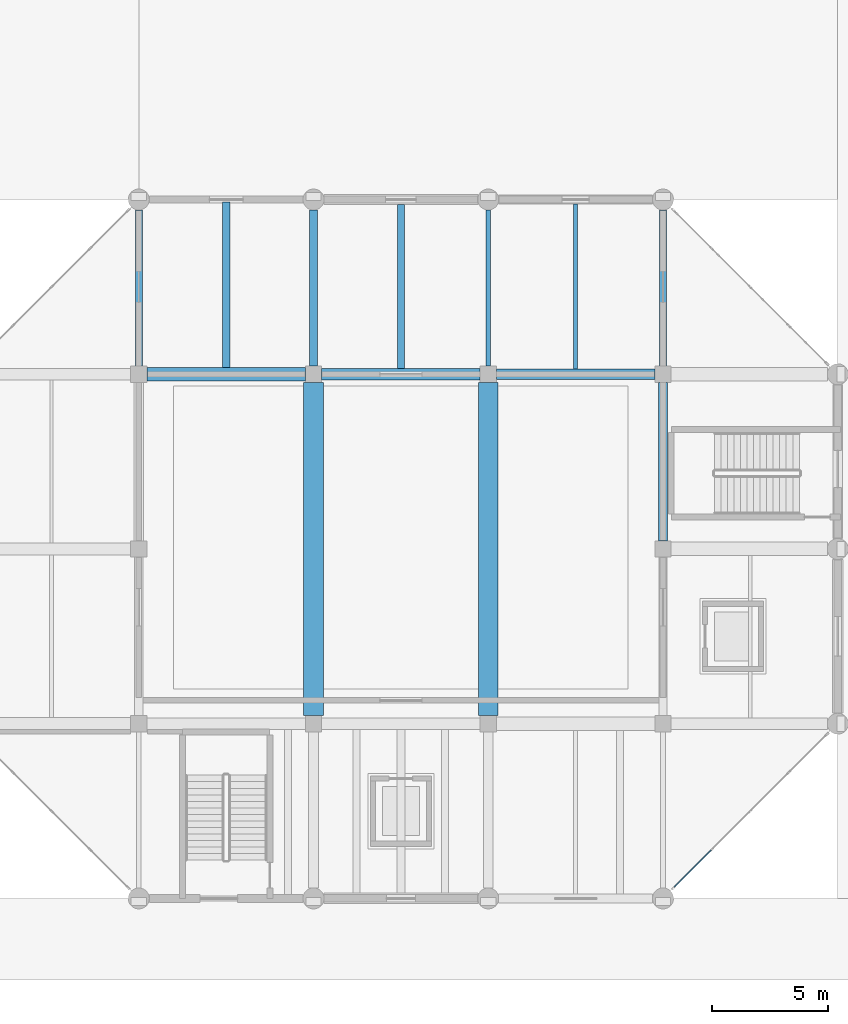
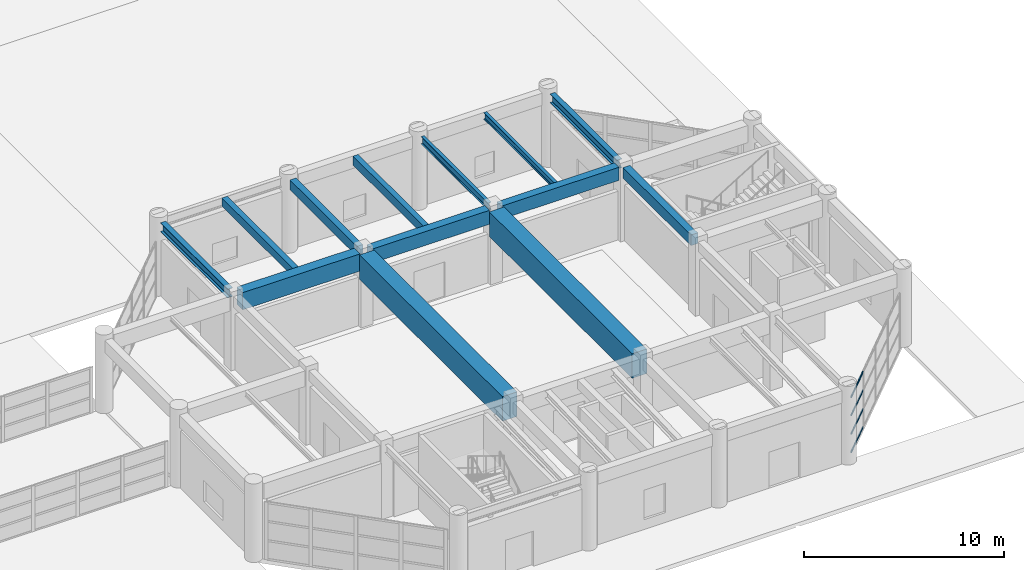
# One storey, part 57 of 122: 13 beams, 4 members, 1 element without a shape of its own.
"""IFC4 building model written with IfcOpenShell, lengths in metres."""

from ifc_helpers import new_model, si_unit, direction, frame, origin, origin_2d, place, context, subcontext, project, spatial, rectangle, hollow_rectangle, i_section, extrude, material, material_profile, profile_set, type_object, element, aggregate, save


model = new_model("IFC4")

# Units and contexts
model_context = context("Model", 3, precision=1e-05, world=origin(), true_north=direction((0.0, 1.0)))
body_context = subcontext(model_context, "Body", "Model", "MODEL_VIEW")
ifc_project = project(units=[si_unit("LENGTHUNIT", "METRE"), si_unit("AREAUNIT", "SQUARE_METRE"), si_unit("VOLUMEUNIT", "CUBIC_METRE"), si_unit("PLANEANGLEUNIT", "RADIAN"), si_unit("MASSUNIT", "GRAM", prefix="KILO")], contexts=[model_context])

# Site, building, storey
site_placement = place(None, origin())
site = spatial("IfcSite", under=ifc_project, at=site_placement, CompositionType="ELEMENT")
building_placement = place(site_placement, origin())
building = spatial("IfcBuilding", under=site, at=building_placement, Name="Qasida Concert Hall", CompositionType="ELEMENT")
storey_placement = place(building_placement, origin())
storey = spatial("IfcBuildingStorey", under=building, at=storey_placement, Name="L00", CompositionType="ELEMENT", Elevation=0.0)

# Beams
ifc_material_1 = material(Name="Concrete C40/50", Category="concrete")
ifc_material_profile_1 = material_profile(ifc_material_1, rectangle(XDim=0.39990234375, YDim=0.64990234375, at=origin_2d()), Name="RC 400x650")
ifc_profile_set_1 = profile_set([ifc_material_profile_1], Name="Concrete C40/50")
beam_type_1 = type_object("IfcBeamType", Name="BM-B1", PredefinedType="BEAM", material=ifc_profile_set_1)
beam_1_placement = place(storey_placement, frame((157.5, 15.35009765625, 4.175048828125), z_axis=(0.0, 1.0, 0.0), x_axis=(-1.0, 0.0, 0.0)))
element("IfcBeam", 1, at=beam_1_placement, inside=storey, type_object=beam_type_1, Name="L00 girder 0496", PredefinedType="BEAM", context=body_context, shape_type="SweptSolid", body=[
    extrude(rectangle(XDim=0.39990234375, YDim=0.64990234375, at=origin_2d()), origin(), (0.0, 0.0, 1.0), 6.7998046875),
])
ifc_material_2 = material(Name="Steel S355J2", Category="steel")
ifc_material_profile_2 = material_profile(ifc_material_2, i_section(OverallWidth=0.300048828125, OverallDepth=0.550048828125, WebThickness=0.014892578125, FlangeThickness=0.029052734375, FilletRadius=0.027099609375, at=origin_2d()), Name="HEB 550")
ifc_profile_set_2 = profile_set([ifc_material_profile_2], Name="Steel S355J2")
beam_type_2 = type_object("IfcBeamType", Name="BM-B12", PredefinedType="BEAM", material=ifc_profile_set_2)
for number, where, z_axis, x_axis, name in (
    (2, (135.0, 22.85009765625, 4.22509765625), (0.0, 1.0, 0.0), (-1.0, 0.0, 0.0), "L00 girder 0487"),
    (3, (157.5, 22.85009765625, 4.22509765625), (0.0, 1.0, 0.0), (-1.0, 0.0, 0.0), "L00 girder 0497"),
):
    element("IfcBeam", number, at=place(storey_placement, frame(where, z_axis=z_axis, x_axis=x_axis)), inside=storey, type_object=beam_type_2, Name=name, PredefinedType="BEAM", context=body_context, shape_type="SweptSolid", body=[
        extrude(i_section(OverallWidth=0.300048828125, OverallDepth=0.550048828125, WebThickness=0.014892578125, FlangeThickness=0.029052734375, FilletRadius=0.027099609375, at=origin_2d()), origin(), (0.0, 0.0, 1.0), 6.699951171875),
    ])
ifc_material_profile_3 = material_profile(ifc_material_1, rectangle(XDim=0.35009765625, YDim=0.60009765625, at=origin_2d()), Name="RC 350x600")
ifc_profile_set_3 = profile_set([ifc_material_profile_3], Name="Concrete C40/50")
beam_type_3 = type_object("IfcBeamType", Name="BM-B2", PredefinedType="BEAM", material=ifc_profile_set_3)
beam_2_placement = place(storey_placement, frame((142.5, 22.85009765625, 4.199951171875), z_axis=(0.0, 1.0, 0.0), x_axis=(-1.0, 0.0, 0.0)))
element("IfcBeam", 4, at=beam_2_placement, inside=storey, type_object=beam_type_3, Name="L00 girder 0490", PredefinedType="BEAM", context=body_context, shape_type="SweptSolid", body=[
    extrude(rectangle(XDim=0.35009765625, YDim=0.60009765625, at=origin_2d()), origin(), (0.0, 0.0, 1.0), 6.699951171875),
])
ifc_material_profile_4 = material_profile(ifc_material_2, i_section(OverallWidth=0.18994140625, OverallDepth=0.449951171875, WebThickness=0.009521484375, FlangeThickness=0.0146484375, FilletRadius=0.02099609375, at=origin_2d()), Name="IPE 450")
ifc_profile_set_4 = profile_set([ifc_material_profile_4], Name="Steel S355J2")
beam_type_4 = type_object("IfcBeamType", Name="BM-B5", PredefinedType="BEAM", material=ifc_profile_set_4)
beam_3_placement = place(storey_placement, frame((150.0, 22.85009765625, 4.27490234375), z_axis=(0.0, 1.0, 0.0), x_axis=(-1.0, 0.0, 0.0)))
element("IfcBeam", 5, at=beam_3_placement, inside=storey, type_object=beam_type_4, Name="L00 girder 0493", PredefinedType="BEAM", context=body_context, shape_type="SweptSolid", body=[
    extrude(i_section(OverallWidth=0.18994140625, OverallDepth=0.449951171875, WebThickness=0.009521484375, FlangeThickness=0.0146484375, FilletRadius=0.02099609375, at=origin_2d()), origin(), (0.0, 0.0, 1.0), 6.699951171875),
])
ifc_material_profile_5 = material_profile(ifc_material_1, rectangle(XDim=0.449951171875, YDim=0.800048828125, at=origin_2d()), Name="RC 450x800")
ifc_profile_set_5 = profile_set([ifc_material_profile_5], Name="Concrete C40/50")
beam_type_5 = type_object("IfcBeamType", Name="BM-G2", PredefinedType="USERDEFINED", material=ifc_profile_set_5)
beam_4_placement = place(storey_placement, frame((150.35009765625, 22.5, 4.10009765625), z_axis=(1.0, 0.0, 0.0), x_axis=(0.0, 1.0, 0.0)))
element("IfcBeam", 6, at=beam_4_placement, inside=storey, type_object=beam_type_5, Name="Primary girder 0477", ObjectType="GIRDER", PredefinedType="USERDEFINED", context=body_context, shape_type="SweptSolid", body=[
    extrude(rectangle(XDim=0.449951171875, YDim=0.800048828125, at=origin_2d()), origin(), (0.0, 0.0, 1.0), 6.7998046875),
])
ifc_material_profile_6 = material_profile(ifc_material_1, rectangle(XDim=0.47998046875, YDim=0.85009765625, at=origin_2d()), Name="RC 480x850")
ifc_profile_set_6 = profile_set([ifc_material_profile_6], Name="Concrete C40/50")
beam_type_6 = type_object("IfcBeamType", Name="BM-G6", PredefinedType="USERDEFINED", material=ifc_profile_set_6)
beam_5_placement = place(storey_placement, frame((142.85009765625, 22.5, 4.074951171875), z_axis=(1.0, 0.0, 0.0), x_axis=(0.0, 1.0, 0.0)))
element("IfcBeam", 7, at=beam_5_placement, inside=storey, type_object=beam_type_6, Name="Primary girder 0476", ObjectType="GIRDER", PredefinedType="USERDEFINED", context=body_context, shape_type="SweptSolid", body=[
    extrude(rectangle(XDim=0.47998046875, YDim=0.85009765625, at=origin_2d()), origin(), (0.0, 0.0, 1.0), 6.7998046875),
])
ifc_material_3 = material(Name="Concrete C50/60", Category="concrete")
ifc_material_profile_7 = material_profile(ifc_material_3, rectangle(XDim=0.580078125, YDim=1.050048828125, at=origin_2d()), Name="RC 580x1050")
ifc_profile_set_7 = profile_set([ifc_material_profile_7], Name="Concrete C50/60")
beam_type_7 = type_object("IfcBeamType", Name="BM-G8", PredefinedType="USERDEFINED", material=ifc_profile_set_7)
beam_6_placement = place(storey_placement, frame((135.35009765625, 22.5, 3.97509765625), z_axis=(1.0, 0.0, 0.0), x_axis=(0.0, 1.0, 0.0)))
element("IfcBeam", 8, at=beam_6_placement, inside=storey, type_object=beam_type_7, Name="Primary girder 0475", ObjectType="GIRDER", PredefinedType="USERDEFINED", context=body_context, shape_type="SweptSolid", body=[
    extrude(rectangle(XDim=0.580078125, YDim=1.050048828125, at=origin_2d()), origin(), (0.0, 0.0, 1.0), 6.7998046875),
])
ifc_material_profile_8 = material_profile(ifc_material_1, rectangle(XDim=0.300048828125, YDim=0.550048828125, at=origin_2d()), Name="RC 300x550")
ifc_profile_set_8 = profile_set([ifc_material_profile_8], Name="Concrete C40/50")
beam_type_8 = type_object("IfcBeamType", Name="BM-J1", PredefinedType="JOIST", material=ifc_profile_set_8)
beam_7_placement = place(storey_placement, frame((146.25, 22.739990234375, 4.22509765625), z_axis=(0.0, 1.0, 0.0), x_axis=(-1.0, 0.0, 0.0)))
element("IfcBeam", 9, at=beam_7_placement, inside=storey, type_object=beam_type_8, Name="L00 secondary joist 0504", PredefinedType="JOIST", context=body_context, shape_type="SweptSolid", body=[
    extrude(rectangle(XDim=0.300048828125, YDim=0.550048828125, at=origin_2d()), origin(), (0.0, 0.0, 1.0), 7.034912109375),
])
ifc_material_profile_9 = material_profile(ifc_material_2, i_section(OverallWidth=0.179931640625, OverallDepth=0.39990234375, WebThickness=0.008544921875, FlangeThickness=0.013427734375, FilletRadius=0.02099609375, at=origin_2d()), Name="IPE 400")
ifc_profile_set_9 = profile_set([ifc_material_profile_9], Name="Steel S355J2")
beam_type_9 = type_object("IfcBeamType", Name="BM-J3", PredefinedType="JOIST", material=ifc_profile_set_9)
beam_8_placement = place(storey_placement, frame((153.75, 22.72509765625, 4.300048828125), z_axis=(0.0, 1.0, 0.0), x_axis=(-1.0, 0.0, 0.0)))
element("IfcBeam", 10, at=beam_8_placement, inside=storey, type_object=beam_type_9, Name="L00 secondary joist 0506", PredefinedType="JOIST", context=body_context, shape_type="SweptSolid", body=[
    extrude(i_section(OverallWidth=0.179931640625, OverallDepth=0.39990234375, WebThickness=0.008544921875, FlangeThickness=0.013427734375, FilletRadius=0.02099609375, at=origin_2d()), origin(), (0.0, 0.0, 1.0), 7.074951171875),
])
ifc_material_profile_10 = material_profile(ifc_material_1, rectangle(XDim=0.320068359375, YDim=0.5, at=origin_2d()), Name="RC 320x500")
ifc_profile_set_10 = profile_set([ifc_material_profile_10], Name="Concrete C40/50")
beam_type_10 = type_object("IfcBeamType", Name="BM-J7", PredefinedType="JOIST", material=ifc_profile_set_10)
beam_9_placement = place(storey_placement, frame((138.75, 22.7900390625, 4.25), z_axis=(0.0, 1.0, 0.0), x_axis=(-1.0, 0.0, 0.0)))
element("IfcBeam", 11, at=beam_9_placement, inside=storey, type_object=beam_type_10, Name="L00 secondary joist 0502", PredefinedType="JOIST", context=body_context, shape_type="SweptSolid", body=[
    extrude(rectangle(XDim=0.320068359375, YDim=0.5, at=origin_2d()), origin(), (0.0, 0.0, 1.0), 7.10498046875),
])
ifc_material_profile_11 = material_profile(ifc_material_3, rectangle(XDim=0.85009765625, YDim=1.5, at=origin_2d()), Name="RC 850x1500")
ifc_profile_set_11 = profile_set([ifc_material_profile_11], Name="Concrete C50/60")
beam_type_11 = type_object("IfcBeamType", Name="BM-TG2", PredefinedType="USERDEFINED", material=ifc_profile_set_11)
for number, where, z_axis, x_axis, name in (
    (12, (142.5, 7.85009765625, 3.75), (0.0, 1.0, 0.0), (-1.0, 0.0, 0.0), "L00 girder 0489"),
    (13, (150.0, 7.85009765625, 3.75), (0.0, 1.0, 0.0), (-1.0, 0.0, 0.0), "L00 girder 0492"),
):
    element("IfcBeam", number, at=place(storey_placement, frame(where, z_axis=z_axis, x_axis=x_axis)), inside=storey, type_object=beam_type_11, Name=name, ObjectType="GIRDER", PredefinedType="USERDEFINED", context=body_context, shape_type="SweptSolid", body=[
        extrude(rectangle(XDim=0.85009765625, YDim=1.5, at=origin_2d()), origin(), (0.0, 0.0, 1.0), 14.2998046875),
    ])

# Curtain wall, members
ifc_material_4 = material(Name="Architectural bronze-anodized aluminium and low-E glass", Category="aluminium")
curtain_wall_type = type_object("IfcCurtainWallType", Name="CW-07", PredefinedType="NOTDEFINED", material=ifc_material_4)
curtain_wall_placement = place(storey_placement, origin())
curtain_wall = element("IfcCurtainWall", 14, at=curtain_wall_placement, inside=storey, type_object=curtain_wall_type, Name="L00 curtain wall CW-07 0139", PredefinedType="NOTDEFINED")
ifc_material_5 = material(Name="Architectural bronze-anodized aluminium EN AW-6063", Category="aluminium")
ifc_material_profile_12 = material_profile(ifc_material_5, hollow_rectangle(XDim=0.06005859375, YDim=0.1201171875, WallThickness=0.00390625, InnerFilletRadius=0.00390625, OuterFilletRadius=0.008056640625, at=origin_2d()), Name="CWT 120x60x4")
ifc_profile_set_12 = profile_set([ifc_material_profile_12], Name="Architectural bronze-anodized aluminium EN AW-6063")
member_type = type_object("IfcMemberType", Name="MB-CWT-2", PredefinedType="USERDEFINED", material=ifc_profile_set_12)
member_1_placement = place(storey_placement, frame((157.984375, 0.484375, 0.030029296875), z_axis=(0.707106781187, 0.707106781187, 0.0), x_axis=(-0.707106781187, 0.707106781187, 0.0)))
member_1 = element("IfcMember", 15, at=member_1_placement, type_object=member_type, Name="CW-07 transom 1.1", ObjectType="TRANSOM", PredefinedType="USERDEFINED", context=body_context, shape_type="SweptSolid", body=[
    extrude(hollow_rectangle(XDim=0.06005859375, YDim=0.1201171875, WallThickness=0.00390625, InnerFilletRadius=0.00390625, OuterFilletRadius=0.008056640625, at=origin_2d()), origin(), (0.0, 0.0, 1.0), 2.244140625),
])
member_2_placement = place(storey_placement, frame((157.984375, 0.484375, 1.139892578125), z_axis=(0.707106781187, 0.707106781187, 0.0), x_axis=(-0.707106781187, 0.707106781187, 0.0)))
member_2 = element("IfcMember", 16, at=member_2_placement, type_object=member_type, Name="CW-07 transom 1.2", ObjectType="TRANSOM", PredefinedType="USERDEFINED", context=body_context, shape_type="SweptSolid", body=[
    extrude(hollow_rectangle(XDim=0.06005859375, YDim=0.1201171875, WallThickness=0.00390625, InnerFilletRadius=0.00390625, OuterFilletRadius=0.008056640625, at=origin_2d()), origin(), (0.0, 0.0, 1.0), 2.244140625),
])
member_3_placement = place(storey_placement, frame((157.984375, 0.484375, 2.280029296875), z_axis=(0.707106781187, 0.707106781187, 0.0), x_axis=(-0.707106781187, 0.707106781187, 0.0)))
member_3 = element("IfcMember", 17, at=member_3_placement, type_object=member_type, Name="CW-07 transom 1.3", ObjectType="TRANSOM", PredefinedType="USERDEFINED", context=body_context, shape_type="SweptSolid", body=[
    extrude(hollow_rectangle(XDim=0.06005859375, YDim=0.1201171875, WallThickness=0.00390625, InnerFilletRadius=0.00390625, OuterFilletRadius=0.008056640625, at=origin_2d()), origin(), (0.0, 0.0, 1.0), 2.244140625),
])
member_4_placement = place(storey_placement, frame((157.984375, 0.484375, 3.389892578125), z_axis=(0.707106781187, 0.707106781187, 0.0), x_axis=(-0.707106781187, 0.707106781187, 0.0)))
member_4 = element("IfcMember", 18, at=member_4_placement, type_object=member_type, Name="CW-07 transom 1.4", ObjectType="TRANSOM", PredefinedType="USERDEFINED", context=body_context, shape_type="SweptSolid", body=[
    extrude(hollow_rectangle(XDim=0.06005859375, YDim=0.1201171875, WallThickness=0.00390625, InnerFilletRadius=0.00390625, OuterFilletRadius=0.008056640625, at=origin_2d()), origin(), (0.0, 0.0, 1.0), 2.244140625),
])
aggregate(curtain_wall, [member_1, member_2, member_3, member_4])

save(model, "model.ifc")
